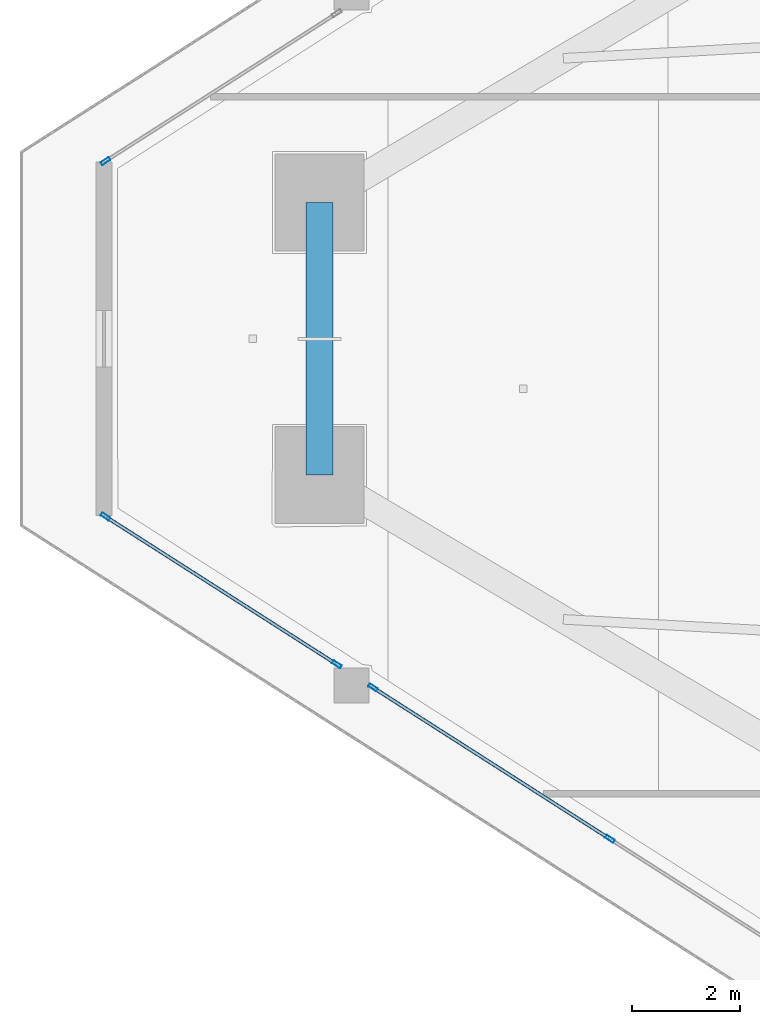
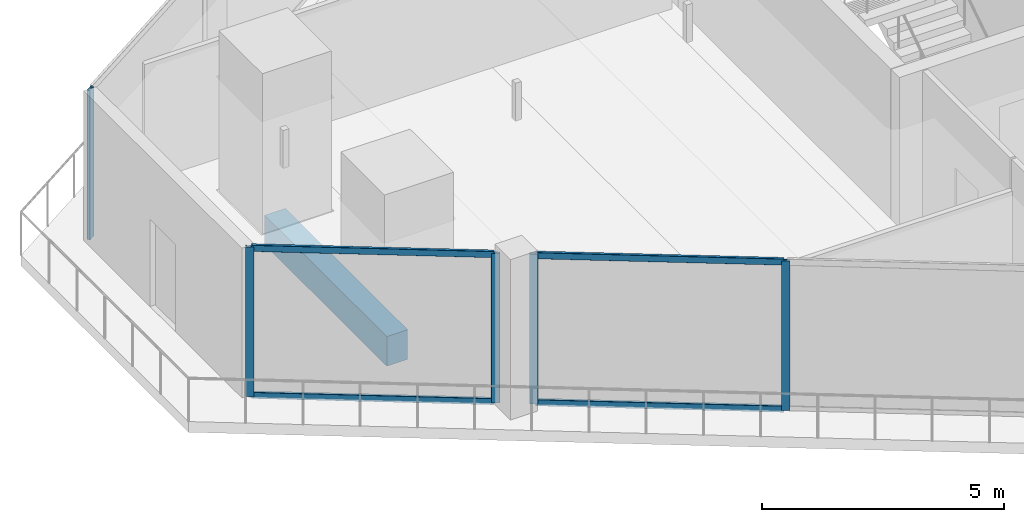
# One storey, part 6 of 33: 9 members, 1 beam, 3 elements without a shape of their own.
"""IFC4 building model written with IfcOpenShell, lengths in metres."""

from ifc_helpers import new_model, si_unit, direction, frame, origin, origin_2d, place, context, subcontext, project, spatial, rectangle, hollow_rectangle, extrude, material, layer, layer_set, material_profile, profile_set, type_object, element, aggregate, save


model = new_model("IFC4")

# Units and contexts
model_context = context("Model", 3, precision=1e-05, world=origin(), true_north=direction((0.0, 1.0)))
body_context = subcontext(model_context, "Body", "Model", "MODEL_VIEW")
ifc_project = project(units=[si_unit("LENGTHUNIT", "METRE"), si_unit("AREAUNIT", "SQUARE_METRE"), si_unit("VOLUMEUNIT", "CUBIC_METRE"), si_unit("PLANEANGLEUNIT", "RADIAN"), si_unit("MASSUNIT", "GRAM", prefix="KILO")], contexts=[model_context])

# Site, building, storey
site_placement = place(None, origin())
site = spatial("IfcSite", under=ifc_project, at=site_placement, CompositionType="ELEMENT")
building_placement = place(site_placement, origin())
building = spatial("IfcBuilding", under=site, at=building_placement, Name="Qorvath Tower", CompositionType="ELEMENT")
storey_placement = place(building_placement, frame((0.0, 0.0, 237.449951171875)))
storey = spatial("IfcBuildingStorey", under=building, at=storey_placement, Name="L55", CompositionType="ELEMENT", Elevation=237.449951171875)

# Beam
ifc_material_1 = material(Name="Concrete C45/55", Category="concrete")
ifc_material_profile_1 = material_profile(ifc_material_1, rectangle(XDim=0.5, YDim=0.75, at=origin_2d()), Name="RCB 750x500")
ifc_profile_set_1 = profile_set([ifc_material_profile_1], Name="Concrete C45/55")
beam_type = type_object("IfcBeamType", Name="BM-RCB3", PredefinedType="SPANDREL", material=ifc_profile_set_1)
beam_placement = place(storey_placement, frame((-49.171875, 2.52783203125, -0.64501953125), z_axis=(0.0, -1.0, 0.0), x_axis=(1.0, 0.0, 0.0)))
element("IfcBeam", 1, at=beam_placement, inside=storey, type_object=beam_type, Name="Perimeter Loggia Frame Beam MC1-MC2 L55", PredefinedType="SPANDREL", context=body_context, shape_type="SweptSolid", body=[
    extrude(rectangle(XDim=0.5, YDim=0.75, at=origin_2d()), origin(), (0.0, 0.0, 1.0), 5.0556640625),
])

# Curtain wall, members
ifc_material_2 = material(Name="Anodised aluminium and triple low-E glass", Category="aluminium")
ifc_layer = layer(ifc_material_2, 0.179931640625)
ifc_layer_set = layer_set([ifc_layer], Name="CW-SYS-3")
curtain_wall_type = type_object("IfcCurtainWallType", Name="CW-SYS-3", PredefinedType="NOTDEFINED", material=ifc_layer_set)
curtain_wall_1_placement = place(storey_placement, origin())
curtain_wall_1 = element("IfcCurtainWall", 2, at=curtain_wall_1_placement, inside=storey, type_object=curtain_wall_type, Name="Curtain Wall CW-3 CW-T-L55-2.1", PredefinedType="NOTDEFINED")
ifc_material_3 = material(Name="Anodised aluminium 6063-T6", Category="aluminium")
ifc_material_profile_2 = material_profile(ifc_material_3, hollow_rectangle(XDim=0.06494140625, YDim=0.179931640625, WallThickness=0.00341796875, InnerFilletRadius=0.00341796875, OuterFilletRadius=0.007080078125, at=origin_2d()), Name="CWM 180x65")
ifc_profile_set_2 = profile_set([ifc_material_profile_2], Name="Anodised aluminium 6063-T6")
member_type_1 = type_object("IfcMemberType", Name="CWM-180", PredefinedType="MULLION", material=ifc_profile_set_2)
member_1_placement = place(storey_placement, frame((-53.138671875, -3.29638671875, 0.0), z_axis=(0.0, 0.0, 1.0), x_axis=(0.53853775412, 0.842601381074, 0.0)))
member_1 = element("IfcMember", 3, at=member_1_placement, type_object=member_type_1, Name="CW-3 mullion 1", PredefinedType="MULLION", context=body_context, shape_type="SweptSolid", body=[
    extrude(hollow_rectangle(XDim=0.06494140625, YDim=0.179931640625, WallThickness=0.00341796875, InnerFilletRadius=0.00341796875, OuterFilletRadius=0.007080078125, at=origin_2d()), origin(), (0.0, 0.0, 1.0), 3.780029296875),
])
member_2_placement = place(storey_placement, frame((-48.85009765625, -6.037109375, 0.0), z_axis=(0.0, 0.0, 1.0), x_axis=(0.53853775412, 0.842601381074, 0.0)))
member_2 = element("IfcMember", 4, at=member_2_placement, type_object=member_type_1, Name="CW-3 mullion 2", PredefinedType="MULLION", context=body_context, shape_type="SweptSolid", body=[
    extrude(hollow_rectangle(XDim=0.06494140625, YDim=0.179931640625, WallThickness=0.00341796875, InnerFilletRadius=0.00341796875, OuterFilletRadius=0.007080078125, at=origin_2d()), origin(), (0.0, 0.0, 1.0), 3.780029296875),
])

curtain_wall_2_placement = place(storey_placement, origin())
curtain_wall_2 = element("IfcCurtainWall", 5, at=curtain_wall_2_placement, inside=storey, type_object=curtain_wall_type, Name="Curtain Wall CW-3 CW-T-L55-2.2", PredefinedType="NOTDEFINED")
member_3_placement = place(storey_placement, frame((-48.18115234375, -6.46484375, 0.0), z_axis=(0.0, 0.0, 1.0), x_axis=(0.53852851579, 0.842607285561, 0.0)))
member_3 = element("IfcMember", 6, at=member_3_placement, type_object=member_type_1, Name="CW-3 mullion 1", PredefinedType="MULLION", context=body_context, shape_type="SweptSolid", body=[
    extrude(hollow_rectangle(XDim=0.06494140625, YDim=0.179931640625, WallThickness=0.00341796875, InnerFilletRadius=0.00341796875, OuterFilletRadius=0.007080078125, at=origin_2d()), origin(), (0.0, 0.0, 1.0), 3.780029296875),
])
member_4_placement = place(storey_placement, frame((-43.786865234375, -9.273193359375, 0.0), z_axis=(0.0, 0.0, 1.0), x_axis=(0.53852851579, 0.842607285561, 0.0)))
member_4 = element("IfcMember", 7, at=member_4_placement, type_object=member_type_1, Name="CW-3 mullion 2", PredefinedType="MULLION", context=body_context, shape_type="SweptSolid", body=[
    extrude(hollow_rectangle(XDim=0.06494140625, YDim=0.179931640625, WallThickness=0.00341796875, InnerFilletRadius=0.00341796875, OuterFilletRadius=0.007080078125, at=origin_2d()), origin(), (0.0, 0.0, 1.0), 3.780029296875),
])

# Curtain wall, member
curtain_wall_3_placement = place(storey_placement, origin())
curtain_wall_3 = element("IfcCurtainWall", 8, at=curtain_wall_3_placement, inside=storey, type_object=curtain_wall_type, Name="Curtain Wall CW-3 CW-T-L55-16.2", PredefinedType="NOTDEFINED")
member_5_placement = place(storey_placement, frame((-53.138671875, 3.29638671875, 0.0), z_axis=(0.0, 0.0, 1.0), x_axis=(0.53853775412, -0.842601381074, 0.0)))
member_5 = element("IfcMember", 9, at=member_5_placement, type_object=member_type_1, Name="CW-3 mullion 2", PredefinedType="MULLION", context=body_context, shape_type="SweptSolid", body=[
    extrude(hollow_rectangle(XDim=0.06494140625, YDim=0.179931640625, WallThickness=0.00341796875, InnerFilletRadius=0.00341796875, OuterFilletRadius=0.007080078125, at=origin_2d()), origin(), (0.0, 0.0, 1.0), 3.780029296875),
])
aggregate(curtain_wall_3, [member_5])

# Member
ifc_material_4 = material(Name="Anodised aluminium 6063-T6", Category="aluminium")
ifc_material_profile_3 = material_profile(ifc_material_4, hollow_rectangle(XDim=0.06494140625, YDim=0.159912109375, WallThickness=0.00341796875, InnerFilletRadius=0.00341796875, OuterFilletRadius=0.007080078125, at=origin_2d()), Name="CWT 160x65")
ifc_profile_set_3 = profile_set([ifc_material_profile_3], Name="Anodised aluminium 6063-T6")
member_type_2 = type_object("IfcMemberType", Name="CWT-160", PredefinedType="USERDEFINED", material=ifc_profile_set_3)
member_6_placement = place(storey_placement, frame((-53.111328125, -3.313720703125, 0.032470703125), z_axis=(0.842585405319, -0.538562749124, 0.0), x_axis=(0.538562749124, 0.842585405319, 0.0)))
member_6 = element("IfcMember", 10, at=member_6_placement, type_object=member_type_2, Name="CW-3 transom 1.1", ObjectType="TRANSOM", PredefinedType="USERDEFINED", context=body_context, shape_type="SweptSolid", body=[
    extrude(hollow_rectangle(XDim=0.06494140625, YDim=0.159912109375, WallThickness=0.00341796875, InnerFilletRadius=0.00341796875, OuterFilletRadius=0.007080078125, at=origin_2d()), origin(), (0.0, 0.0, 1.0), 5.024658203125),
])

member_7_placement = place(storey_placement, frame((-53.111328125, -3.313720703125, 3.74755859375), z_axis=(0.842585405319, -0.538562749124, 0.0), x_axis=(0.538562749124, 0.842585405319, 0.0)))
member_7 = element("IfcMember", 11, at=member_7_placement, type_object=member_type_2, Name="CW-3 transom 1.2", ObjectType="TRANSOM", PredefinedType="USERDEFINED", context=body_context, shape_type="SweptSolid", body=[
    extrude(hollow_rectangle(XDim=0.06494140625, YDim=0.159912109375, WallThickness=0.00341796875, InnerFilletRadius=0.00341796875, OuterFilletRadius=0.007080078125, at=origin_2d()), origin(), (0.0, 0.0, 1.0), 5.024658203125),
])

aggregate(curtain_wall_1, [member_1, member_2, member_6, member_7])

member_8_placement = place(storey_placement, frame((-48.15380859375, -6.482421875, 0.032470703125), z_axis=(0.842615597711, -0.538515509985, 0.0), x_axis=(0.538515509985, 0.842615597711, 0.0)))
member_8 = element("IfcMember", 12, at=member_8_placement, type_object=member_type_2, Name="CW-3 transom 1.1", ObjectType="TRANSOM", PredefinedType="USERDEFINED", context=body_context, shape_type="SweptSolid", body=[
    extrude(hollow_rectangle(XDim=0.06494140625, YDim=0.159912109375, WallThickness=0.00341796875, InnerFilletRadius=0.00341796875, OuterFilletRadius=0.007080078125, at=origin_2d()), origin(), (0.0, 0.0, 1.0), 5.150146484375),
])

member_9_placement = place(storey_placement, frame((-48.15380859375, -6.482421875, 3.74755859375), z_axis=(0.842615597711, -0.538515509985, 0.0), x_axis=(0.538515509985, 0.842615597711, 0.0)))
member_9 = element("IfcMember", 13, at=member_9_placement, type_object=member_type_2, Name="CW-3 transom 1.2", ObjectType="TRANSOM", PredefinedType="USERDEFINED", context=body_context, shape_type="SweptSolid", body=[
    extrude(hollow_rectangle(XDim=0.06494140625, YDim=0.159912109375, WallThickness=0.00341796875, InnerFilletRadius=0.00341796875, OuterFilletRadius=0.007080078125, at=origin_2d()), origin(), (0.0, 0.0, 1.0), 5.150146484375),
])

aggregate(curtain_wall_2, [member_3, member_4, member_8, member_9])

save(model, "model.ifc")
